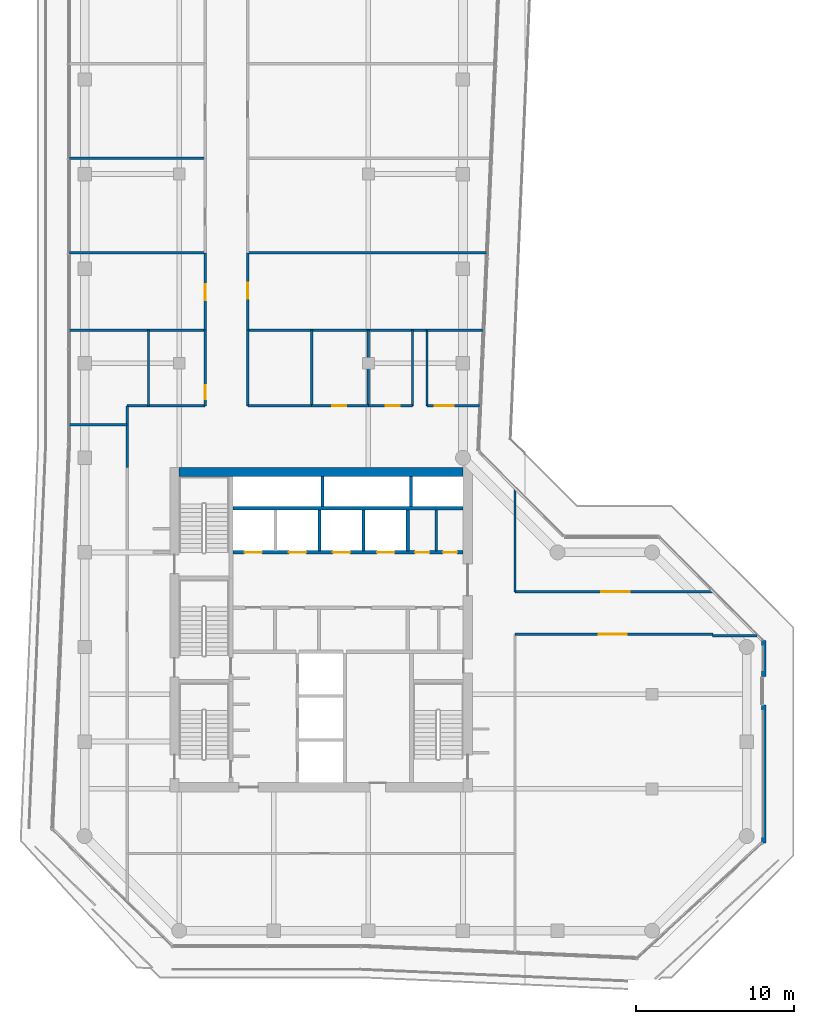
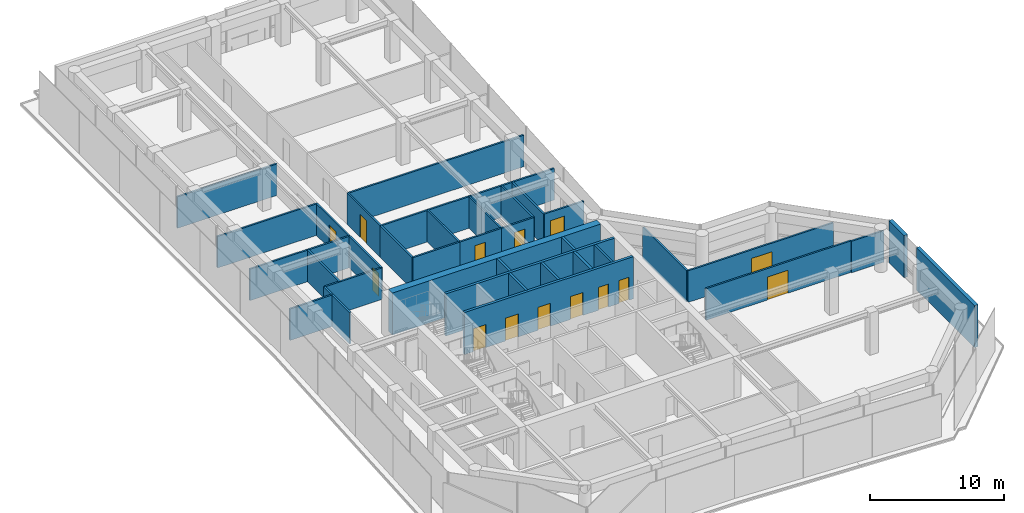
# One storey, part 18 of 21: 37 walls, 14 doors, 14 openings.
"""IFC4 building model written with IfcOpenShell, lengths in metres."""

from ifc_helpers import new_model, si_unit, direction, frame, frame_2d, origin, place, context, subcontext, project, spatial, rectangle, extrude, material, layer, layer_set, type_object, element, fill, save


model = new_model("IFC4")

# Units and contexts
model_context = context("Model", 3, precision=1e-05, world=origin(), true_north=direction((0.0, 1.0)))
body_context = subcontext(model_context, "Body", "Model", "MODEL_VIEW")
ifc_project = project(units=[si_unit("LENGTHUNIT", "METRE"), si_unit("AREAUNIT", "SQUARE_METRE"), si_unit("VOLUMEUNIT", "CUBIC_METRE"), si_unit("PLANEANGLEUNIT", "RADIAN"), si_unit("MASSUNIT", "GRAM", prefix="KILO")], contexts=[model_context])

# Site, building, storey
site_placement = place(None, origin())
site = spatial("IfcSite", under=ifc_project, at=site_placement, CompositionType="ELEMENT")
building_placement = place(site_placement, origin())
building = spatial("IfcBuilding", under=site, at=building_placement, Name="Welwitschia Terrace Campus", CompositionType="ELEMENT")
storey_placement = place(building_placement, frame((0.0, 0.0, 159.199951171875)))
storey = spatial("IfcBuildingStorey", under=building, at=storey_placement, Name="L35", CompositionType="ELEMENT", Elevation=159.199951171875)

# Wall
ifc_material_1 = material(Name="Concrete C32/40", Category="concrete")
ifc_layer_1 = layer(ifc_material_1, 0.175048828125)
ifc_layer_set_1 = layer_set([ifc_layer_1], Name="Concrete C32/40")
wall_type_1 = type_object("IfcWallType", Name="Core partition 175 Concrete C32/40", PredefinedType="PARTITIONING", material=ifc_layer_set_1)
wall_1_placement = place(storey_placement, frame((22.300048828125, 20.10009765625, 0.0), z_axis=(0.0, 0.0, 1.0), x_axis=(0.0, 1.0, 0.0)))
element("IfcWall", 1, at=wall_1_placement, inside=storey, type_object=wall_type_1, Name="Core partition", PredefinedType="PARTITIONING", context=body_context, shape_type="SweptSolid", body=[
    extrude(rectangle(XDim=2.599853515625, YDim=0.175048828125, at=frame_2d((1.2998046875, 0.0))), origin(), (0.0, 0.0, 1.0), 3.85009765625),
])

# Wall, openings, doors
ifc_material_2 = material(Name="Concrete C32/40", Category="concrete")
ifc_layer_2 = layer(ifc_material_2, 0.22509765625)
ifc_layer_set_2 = layer_set([ifc_layer_2], Name="Concrete C32/40")
wall_type_2 = type_object("IfcWallType", Name="Core partition 225 Concrete C32/40", PredefinedType="PARTITIONING", material=ifc_layer_set_2)
wall_2_placement = place(storey_placement, frame((24.0, 20.0, 0.0), z_axis=(0.0, 0.0, 1.0), x_axis=(-1.0, 0.0, 0.0)))
wall_2 = element("IfcWall", 2, at=wall_2_placement, inside=storey, type_object=wall_type_2, Name="Shaft wall", PredefinedType="PARTITIONING", context=body_context, shape_type="SweptSolid", body=[
    extrude(rectangle(XDim=14.60009765625, YDim=0.22509765625, at=frame_2d((7.300048828125, 0.0))), origin(), (0.0, 0.0, 1.0), 3.85009765625),
])
opening_1_placement = place(wall_2_placement, frame((12.75, 0.0, 0.0)))
opening_1 = element("IfcOpeningElement", 3, at=opening_1_placement, cuts=wall_2, Name="Opening LD", PredefinedType="OPENING", context=body_context, shape_type="SweptSolid", body=[
    extrude(rectangle(XDim=1.10009765625, YDim=2.10009765625, at=frame_2d((0.550048828125, 1.050048828125))), frame((0.0, 0.12255859375, 0.0), z_axis=(0.0, -1.0, 0.0), x_axis=(1.0, 0.0, 0.0)), (0.0, 0.0, 1.0), 0.2451171875),
])
opening_2_placement = place(wall_2_placement, frame((9.949951171875, 0.0, 0.0)))
opening_2 = element("IfcOpeningElement", 4, at=opening_2_placement, cuts=wall_2, Name="Opening LD", PredefinedType="OPENING", context=body_context, shape_type="SweptSolid", body=[
    extrude(rectangle(XDim=1.10009765625, YDim=2.10009765625, at=frame_2d((0.550048828125, 1.050048828125))), frame((0.0, 0.12255859375, 0.0), z_axis=(0.0, -1.0, 0.0), x_axis=(1.0, 0.0, 0.0)), (0.0, 0.0, 1.0), 0.2451171875),
])
opening_3_placement = place(wall_2_placement, frame((7.14990234375, 0.0, 0.0)))
opening_3 = element("IfcOpeningElement", 5, at=opening_3_placement, cuts=wall_2, Name="Opening LD", PredefinedType="OPENING", context=body_context, shape_type="SweptSolid", body=[
    extrude(rectangle(XDim=1.10009765625, YDim=2.10009765625, at=frame_2d((0.550048828125, 1.050048828125))), frame((0.0, 0.12255859375, 0.0), z_axis=(0.0, -1.0, 0.0), x_axis=(1.0, 0.0, 0.0)), (0.0, 0.0, 1.0), 0.2451171875),
])
opening_4_placement = place(wall_2_placement, frame((4.35009765625, 0.0, 0.0)))
opening_4 = element("IfcOpeningElement", 6, at=opening_4_placement, cuts=wall_2, Name="Opening LD", PredefinedType="OPENING", context=body_context, shape_type="SweptSolid", body=[
    extrude(rectangle(XDim=1.10009765625, YDim=2.10009765625, at=frame_2d((0.550048828125, 1.050048828125))), frame((0.0, 0.12255859375, 0.0), z_axis=(0.0, -1.0, 0.0), x_axis=(1.0, 0.0, 0.0)), (0.0, 0.0, 1.0), 0.2451171875),
])
opening_5_placement = place(wall_2_placement, frame((2.137451171875, 0.0, 0.0)))
opening_5 = element("IfcOpeningElement", 7, at=opening_5_placement, cuts=wall_2, Name="Opening DR09", PredefinedType="OPENING", context=body_context, shape_type="SweptSolid", body=[
    extrude(rectangle(XDim=0.89990234375, YDim=2.10009765625, at=frame_2d((0.449951171875, 1.050048828125))), frame((0.0, 0.12255859375, 0.0), z_axis=(0.0, -1.0, 0.0), x_axis=(1.0, 0.0, 0.0)), (0.0, 0.0, 1.0), 0.2451171875),
])
opening_6_placement = place(wall_2_placement, frame((0.362548828125, 0.0, 0.0)))
opening_6 = element("IfcOpeningElement", 8, at=opening_6_placement, cuts=wall_2, Name="Opening DR09", PredefinedType="OPENING", context=body_context, shape_type="SweptSolid", body=[
    extrude(rectangle(XDim=0.89990234375, YDim=2.10009765625, at=frame_2d((0.449951171875, 1.050048828125))), frame((0.0, 0.12255859375, 0.0), z_axis=(0.0, -1.0, 0.0), x_axis=(1.0, 0.0, 0.0)), (0.0, 0.0, 1.0), 0.2451171875),
])
ifc_material_3 = material(Name="Steel S275", Category="steel")
door_type_1 = type_object("IfcDoorType", Name="Core door DR09", OperationType="SINGLE_SWING_LEFT", PredefinedType="DOOR", material=ifc_material_3)
door_1_placement = place(opening_5_placement, origin())
door_1 = element("IfcDoor", 9, at=door_1_placement, inside=storey, type_object=door_type_1, Name="Door EH1-D", OperationType="SINGLE_SWING_LEFT", OverallHeight=2.10009765625, OverallWidth=0.89990234375, PredefinedType="DOOR", context=body_context, shape_type="SweptSolid", body=[
    extrude(rectangle(XDim=0.89990234375, YDim=2.10009765625, at=frame_2d((0.449951171875, 1.050048828125))), frame((0.0, 0.02490234375, 0.0), z_axis=(0.0, -1.0, 0.0), x_axis=(1.0, 0.0, 0.0)), (0.0, 0.0, 1.0), 0.050048828125),
])
fill(opening_5, door_1)
door_2_placement = place(opening_6_placement, origin())
door_2 = element("IfcDoor", 10, at=door_2_placement, inside=storey, type_object=door_type_1, Name="Door EH2-D", OperationType="SINGLE_SWING_LEFT", OverallHeight=2.10009765625, OverallWidth=0.89990234375, PredefinedType="DOOR", context=body_context, shape_type="SweptSolid", body=[
    extrude(rectangle(XDim=0.89990234375, YDim=2.10009765625, at=frame_2d((0.449951171875, 1.050048828125))), frame((0.0, 0.02490234375, 0.0), z_axis=(0.0, -1.0, 0.0), x_axis=(1.0, 0.0, 0.0)), (0.0, 0.0, 1.0), 0.050048828125),
])
fill(opening_6, door_2)
ifc_material_4 = material(Name="Stainless steel 304", Category="steel")
door_type_2 = type_object("IfcDoorType", Name="Lift landing door", OperationType="DOUBLE_DOOR_SLIDING", PredefinedType="DOOR", material=ifc_material_4)
door_3_placement = place(opening_1_placement, origin())
door_3 = element("IfcDoor", 11, at=door_3_placement, inside=storey, type_object=door_type_2, Name="Landing door HR1", OperationType="DOUBLE_DOOR_SLIDING", OverallHeight=2.10009765625, OverallWidth=1.10009765625, PredefinedType="DOOR", context=body_context, shape_type="SweptSolid", body=[
    extrude(rectangle(XDim=1.10009765625, YDim=2.10009765625, at=frame_2d((0.550048828125, 1.050048828125))), frame((0.0, 0.02490234375, 0.0), z_axis=(0.0, -1.0, 0.0), x_axis=(1.0, 0.0, 0.0)), (0.0, 0.0, 1.0), 0.050048828125),
])
fill(opening_1, door_3)
door_4_placement = place(opening_2_placement, origin())
door_4 = element("IfcDoor", 12, at=door_4_placement, inside=storey, type_object=door_type_2, Name="Landing door HR2", OperationType="DOUBLE_DOOR_SLIDING", OverallHeight=2.10009765625, OverallWidth=1.10009765625, PredefinedType="DOOR", context=body_context, shape_type="SweptSolid", body=[
    extrude(rectangle(XDim=1.10009765625, YDim=2.10009765625, at=frame_2d((0.550048828125, 1.050048828125))), frame((0.0, 0.02490234375, 0.0), z_axis=(0.0, -1.0, 0.0), x_axis=(1.0, 0.0, 0.0)), (0.0, 0.0, 1.0), 0.050048828125),
])
fill(opening_2, door_4)
door_5_placement = place(opening_3_placement, origin())
door_5 = element("IfcDoor", 13, at=door_5_placement, inside=storey, type_object=door_type_2, Name="Landing door HR3", OperationType="DOUBLE_DOOR_SLIDING", OverallHeight=2.10009765625, OverallWidth=1.10009765625, PredefinedType="DOOR", context=body_context, shape_type="SweptSolid", body=[
    extrude(rectangle(XDim=1.10009765625, YDim=2.10009765625, at=frame_2d((0.550048828125, 1.050048828125))), frame((0.0, 0.02490234375, 0.0), z_axis=(0.0, -1.0, 0.0), x_axis=(1.0, 0.0, 0.0)), (0.0, 0.0, 1.0), 0.050048828125),
])
fill(opening_3, door_5)
door_6_placement = place(opening_4_placement, origin())
door_6 = element("IfcDoor", 14, at=door_6_placement, inside=storey, type_object=door_type_2, Name="Landing door HR4", OperationType="DOUBLE_DOOR_SLIDING", OverallHeight=2.10009765625, OverallWidth=1.10009765625, PredefinedType="DOOR", context=body_context, shape_type="SweptSolid", body=[
    extrude(rectangle(XDim=1.10009765625, YDim=2.10009765625, at=frame_2d((0.550048828125, 1.050048828125))), frame((0.0, 0.02490234375, 0.0), z_axis=(0.0, -1.0, 0.0), x_axis=(1.0, 0.0, 0.0)), (0.0, 0.0, 1.0), 0.050048828125),
])
fill(opening_4, door_6)

# Walls
wall_3_placement = place(storey_placement, frame((9.39990234375, 22.800048828125, 0.0), z_axis=(0.0, 0.0, 1.0), x_axis=(1.0, 0.0, 0.0)))
element("IfcWall", 15, at=wall_3_placement, inside=storey, type_object=wall_type_2, Name="Shaft wall", PredefinedType="PARTITIONING", context=body_context, shape_type="SweptSolid", body=[
    extrude(rectangle(XDim=14.60009765625, YDim=0.22509765625, at=frame_2d((7.300048828125, 0.0))), origin(), (0.0, 0.0, 1.0), 3.85009765625),
])
wall_4_placement = place(storey_placement, frame((20.5, 20.10009765625, 0.0), z_axis=(0.0, 0.0, 1.0), x_axis=(0.0, 1.0, 0.0)))
element("IfcWall", 16, at=wall_4_placement, inside=storey, type_object=wall_type_2, Name="Shaft wall", PredefinedType="PARTITIONING", context=body_context, shape_type="SweptSolid", body=[
    extrude(rectangle(XDim=2.599853515625, YDim=0.22509765625, at=frame_2d((1.2998046875, 0.0))), origin(), (0.0, 0.0, 1.0), 3.85009765625),
])
ifc_material_5 = material(Name="Concrete C50/60", Category="concrete")
ifc_layer_3 = layer(ifc_material_5, 0.199951171875)
ifc_layer_set_3 = layer_set([ifc_layer_3], Name="Concrete C50/60")
wall_type_3 = type_object("IfcWallType", Name="Core wall 200 Concrete C50/60", PredefinedType="SHEAR", material=ifc_layer_set_3)
for number, where, z_axis, x_axis, name in (
    (17, (15.10009765625, 22.89990234375, 0.0), (0.0, 0.0, 1.0), (0.0, 1.0, 0.0), "Core wall"),
    (18, (20.699951171875, 22.89990234375, 0.0), (0.0, 0.0, 1.0), (0.0, 1.0, 0.0), "Core wall"),
):
    element("IfcWall", number, at=place(storey_placement, frame(where, z_axis=z_axis, x_axis=x_axis)), inside=storey, type_object=wall_type_3, Name=name, PredefinedType="SHEAR", context=body_context, shape_type="SweptSolid", body=[
        extrude(rectangle(XDim=1.900146484375, YDim=0.199951171875, at=frame_2d((0.9501953125, 0.0))), origin(), (0.0, 0.0, 1.0), 3.85009765625),
    ])
ifc_material_6 = material(Name="Concrete C60/75", Category="concrete")
ifc_layer_4 = layer(ifc_material_6, 0.60009765625)
ifc_layer_set_4 = layer_set([ifc_layer_4], Name="Concrete C60/75")
wall_type_4 = type_object("IfcWallType", Name="Core wall 600 Concrete C60/75", PredefinedType="SHEAR", material=ifc_layer_set_4)
wall_5_placement = place(storey_placement, frame((6.0, 25.10009765625, 0.0), z_axis=(0.0, 0.0, 1.0), x_axis=(1.0, 0.0, 0.0)))
element("IfcWall", 19, at=wall_5_placement, inside=storey, type_object=wall_type_4, Name="Core outer wall", PredefinedType="SHEAR", context=body_context, shape_type="SweptSolid", body=[
    extrude(rectangle(XDim=18.0, YDim=0.60009765625, at=frame_2d((9.0, 0.0))), origin(), (0.0, 0.0, 1.0), 3.85009765625),
])
ifc_material_7 = material(Name="Gypsum board on steel studs", Category="steel")
ifc_layer_5 = layer(ifc_material_7, 0.14990234375)
ifc_layer_set_5 = layer_set([ifc_layer_5], Name="Gypsum board on steel studs")
wall_type_5 = type_object("IfcWallType", Name="Corridor partition 150 EI 30", PredefinedType="PARTITIONING", material=ifc_layer_set_5)
wall_6_placement = place(storey_placement, frame((-0.97998046875, 28.10009765625, 0.0), z_axis=(0.0, 0.0, 1.0), x_axis=(1.0, 0.0, 0.0)))
element("IfcWall", 20, at=wall_6_placement, inside=storey, type_object=wall_type_5, Name="Partition", PredefinedType="PARTITIONING", context=body_context, shape_type="SweptSolid", body=[
    extrude(rectangle(XDim=3.679931640625, YDim=0.14990234375, at=frame_2d((1.83984375, 0.0))), origin(), (0.0, 0.0, 1.0), 2.880126953125),
])
wall_7_placement = place(storey_placement, frame((-0.97998046875, 34.10009765625, 0.0), z_axis=(0.0, 0.0, 1.0), x_axis=(1.0, 0.0, 0.0)))
element("IfcWall", 21, at=wall_7_placement, inside=storey, type_object=wall_type_5, Name="Partition", PredefinedType="PARTITIONING", context=body_context, shape_type="SweptSolid", body=[
    extrude(rectangle(XDim=8.6298828125, YDim=0.14990234375, at=frame_2d((4.31494140625, 0.0))), origin(), (0.0, 0.0, 1.0), 2.880126953125),
])
for number, where, z_axis, x_axis, name in (
    (22, (-0.965087890625, 39.0, 0.0), (0.0, 0.0, 1.0), (1.0, 0.0, 0.0), "Partition"),
    (23, (-0.965087890625, 45.0, 0.0), (0.0, 0.0, 1.0), (1.0, 0.0, 0.0), "Partition"),
):
    element("IfcWall", number, at=place(storey_placement, frame(where, z_axis=z_axis, x_axis=x_axis)), inside=storey, type_object=wall_type_5, Name=name, PredefinedType="PARTITIONING", context=body_context, shape_type="SweptSolid", body=[
        extrude(rectangle(XDim=8.614990234375, YDim=0.14990234375, at=frame_2d((4.3076171875, 0.0))), origin(), (0.0, 0.0, 1.0), 2.880126953125),
    ])
wall_8_placement = place(storey_placement, frame((2.699951171875, 25.39990234375, 0.0), z_axis=(0.0, 0.0, 1.0), x_axis=(0.0, 1.0, 0.0)))
element("IfcWall", 24, at=wall_8_placement, inside=storey, type_object=wall_type_5, Name="Partition", PredefinedType="PARTITIONING", context=body_context, shape_type="SweptSolid", body=[
    extrude(rectangle(XDim=3.900146484375, YDim=0.14990234375, at=frame_2d((1.9501953125, 0.0))), origin(), (0.0, 0.0, 1.0), 2.880126953125),
])
wall_9_placement = place(storey_placement, frame((2.699951171875, 29.300048828125, 0.0), z_axis=(0.0, 0.0, 1.0), x_axis=(1.0, 0.0, 0.0)))
element("IfcWall", 25, at=wall_9_placement, inside=storey, type_object=wall_type_5, Name="Partition", PredefinedType="PARTITIONING", context=body_context, shape_type="SweptSolid", body=[
    extrude(rectangle(XDim=4.949951171875, YDim=0.14990234375, at=frame_2d((2.47509765625, 0.0))), origin(), (0.0, 0.0, 1.0), 2.880126953125),
])
wall_10_placement = place(storey_placement, frame((4.050048828125, 29.300048828125, 0.0), z_axis=(0.0, 0.0, 1.0), x_axis=(0.0, 1.0, 0.0)))
element("IfcWall", 26, at=wall_10_placement, inside=storey, type_object=wall_type_5, Name="Partition", PredefinedType="PARTITIONING", context=body_context, shape_type="SweptSolid", body=[
    extrude(rectangle(XDim=4.800048828125, YDim=0.14990234375, at=frame_2d((2.39990234375, 0.0))), origin(), (0.0, 0.0, 1.0), 2.880126953125),
])

# Wall, opening, door
wall_11_placement = place(storey_placement, frame((7.64990234375, 29.300048828125, 0.0), z_axis=(0.0, 0.0, 1.0), x_axis=(0.0, 1.0, 0.0)))
wall_11 = element("IfcWall", 27, at=wall_11_placement, inside=storey, type_object=wall_type_5, Name="Partition", PredefinedType="PARTITIONING", context=body_context, shape_type="SweptSolid", body=[
    extrude(rectangle(XDim=4.800048828125, YDim=0.14990234375, at=frame_2d((2.39990234375, 0.0))), origin(), (0.0, 0.0, 1.0), 2.880126953125),
])
opening_7_placement = place(wall_11_placement, frame((0.39990234375, 0.0, 0.0)))
opening_7 = element("IfcOpeningElement", 28, at=opening_7_placement, cuts=wall_11, Name="Opening DI09", PredefinedType="OPENING", context=body_context, shape_type="SweptSolid", body=[
    extrude(rectangle(XDim=0.89990234375, YDim=2.10009765625, at=frame_2d((0.449951171875, 1.050048828125))), frame((0.0, 0.0849609375, 0.0), z_axis=(0.0, -1.0, 0.0), x_axis=(1.0, 0.0, 0.0)), (0.0, 0.0, 1.0), 0.169921875),
])
ifc_material_8 = material(Name="Timber veneered door", Category="wood")
door_type_3 = type_object("IfcDoorType", Name="Interior door DI09", OperationType="NOTDEFINED", PredefinedType="DOOR", material=ifc_material_8)
door_7_placement = place(opening_7_placement, origin())
door_7 = element("IfcDoor", 29, at=door_7_placement, inside=storey, type_object=door_type_3, Name="Door L35 711", OperationType="SINGLE_SWING_RIGHT", OverallHeight=2.10009765625, OverallWidth=0.89990234375, PredefinedType="DOOR", context=body_context, shape_type="SweptSolid", body=[
    extrude(rectangle(XDim=0.89990234375, YDim=2.10009765625, at=frame_2d((0.449951171875, 1.050048828125))), frame((0.0, 0.02490234375, 0.0), z_axis=(0.0, -1.0, 0.0), x_axis=(1.0, 0.0, 0.0)), (0.0, 0.0, 1.0), 0.050048828125),
])
fill(opening_7, door_7)

wall_12_placement = place(storey_placement, frame((7.64990234375, 34.10009765625, 0.0), z_axis=(0.0, 0.0, 1.0), x_axis=(0.0, 1.0, 0.0)))
wall_12 = element("IfcWall", 30, at=wall_12_placement, inside=storey, type_object=wall_type_5, Name="Partition", PredefinedType="PARTITIONING", context=body_context, shape_type="SweptSolid", body=[
    extrude(rectangle(XDim=4.89990234375, YDim=0.14990234375, at=frame_2d((2.449951171875, 0.0))), origin(), (0.0, 0.0, 1.0), 2.880126953125),
])
opening_8_placement = place(wall_12_placement, frame((1.89990234375, 0.0, 0.0)))
opening_8 = element("IfcOpeningElement", 31, at=opening_8_placement, cuts=wall_12, Name="Opening DI10", PredefinedType="OPENING", context=body_context, shape_type="SweptSolid", body=[
    extrude(rectangle(XDim=1.0, YDim=2.10009765625, at=frame_2d((0.5, 1.050048828125))), frame((0.0, 0.0849609375, 0.0), z_axis=(0.0, -1.0, 0.0), x_axis=(1.0, 0.0, 0.0)), (0.0, 0.0, 1.0), 0.169921875),
])
ifc_material_9 = material(Name="Timber veneered door", Category="wood")
door_type_4 = type_object("IfcDoorType", Name="Interior door DI10", OperationType="NOTDEFINED", PredefinedType="DOOR", material=ifc_material_9)
door_8_placement = place(opening_8_placement, origin())
door_8 = element("IfcDoor", 32, at=door_8_placement, inside=storey, type_object=door_type_4, Name="Door L35 712", OperationType="SINGLE_SWING_LEFT", OverallHeight=2.10009765625, OverallWidth=1.0, PredefinedType="DOOR", context=body_context, shape_type="SweptSolid", body=[
    extrude(rectangle(XDim=1.0, YDim=2.10009765625, at=frame_2d((0.5, 1.050048828125))), frame((0.0, 0.02490234375, 0.0), z_axis=(0.0, -1.0, 0.0), x_axis=(1.0, 0.0, 0.0)), (0.0, 0.0, 1.0), 0.050048828125),
])
fill(opening_8, door_8)

# Walls
wall_13_placement = place(storey_placement, frame((10.35009765625, 29.300048828125, 0.0), z_axis=(0.0, 0.0, 1.0), x_axis=(0.0, 1.0, 0.0)))
element("IfcWall", 33, at=wall_13_placement, inside=storey, type_object=wall_type_5, Name="Partition", PredefinedType="PARTITIONING", context=body_context, shape_type="SweptSolid", body=[
    extrude(rectangle(XDim=4.800048828125, YDim=0.14990234375, at=frame_2d((2.39990234375, 0.0))), origin(), (0.0, 0.0, 1.0), 2.880126953125),
])
wall_14_placement = place(storey_placement, frame((10.35009765625, 29.300048828125, 0.0), z_axis=(0.0, 0.0, 1.0), x_axis=(1.0, 0.0, 0.0)))
element("IfcWall", 34, at=wall_14_placement, inside=storey, type_object=wall_type_5, Name="Partition", PredefinedType="PARTITIONING", context=body_context, shape_type="SweptSolid", body=[
    extrude(rectangle(XDim=4.0498046875, YDim=0.14990234375, at=frame_2d((2.02490234375, 0.0))), origin(), (0.0, 0.0, 1.0), 2.880126953125),
])
wall_15_placement = place(storey_placement, frame((10.35009765625, 34.10009765625, 0.0), z_axis=(0.0, 0.0, 1.0), x_axis=(1.0, 0.0, 0.0)))
element("IfcWall", 35, at=wall_15_placement, inside=storey, type_object=wall_type_5, Name="Partition", PredefinedType="PARTITIONING", context=body_context, shape_type="SweptSolid", body=[
    extrude(rectangle(XDim=11.369873046875, YDim=0.14990234375, at=frame_2d((5.68505859375, 0.0))), origin(), (0.0, 0.0, 1.0), 2.880126953125),
])

# Wall, opening, door
wall_16_placement = place(storey_placement, frame((10.35009765625, 39.0, 0.0), z_axis=(0.0, 0.0, 1.0), x_axis=(0.0, -1.0, 0.0)))
wall_16 = element("IfcWall", 36, at=wall_16_placement, inside=storey, type_object=wall_type_5, Name="Partition", PredefinedType="PARTITIONING", context=body_context, shape_type="SweptSolid", body=[
    extrude(rectangle(XDim=4.89990234375, YDim=0.14990234375, at=frame_2d((2.449951171875, 0.0))), origin(), (0.0, 0.0, 1.0), 2.880126953125),
])
opening_9_placement = place(wall_16_placement, frame((1.89990234375, 0.0, 0.0)))
opening_9 = element("IfcOpeningElement", 37, at=opening_9_placement, cuts=wall_16, Name="Opening DI10", PredefinedType="OPENING", context=body_context, shape_type="SweptSolid", body=[
    extrude(rectangle(XDim=1.0, YDim=2.10009765625, at=frame_2d((0.5, 1.050048828125))), frame((0.0, 0.0849609375, 0.0), z_axis=(0.0, -1.0, 0.0), x_axis=(1.0, 0.0, 0.0)), (0.0, 0.0, 1.0), 0.169921875),
])
door_9_placement = place(opening_9_placement, origin())
door_9 = element("IfcDoor", 38, at=door_9_placement, inside=storey, type_object=door_type_4, Name="Door L35 716", OperationType="SINGLE_SWING_LEFT", OverallHeight=2.10009765625, OverallWidth=1.0, PredefinedType="DOOR", context=body_context, shape_type="SweptSolid", body=[
    extrude(rectangle(XDim=1.0, YDim=2.10009765625, at=frame_2d((0.5, 1.050048828125))), frame((0.0, 0.02490234375, 0.0), z_axis=(0.0, -1.0, 0.0), x_axis=(1.0, 0.0, 0.0)), (0.0, 0.0, 1.0), 0.050048828125),
])
fill(opening_9, door_9)

# Walls
wall_17_placement = place(storey_placement, frame((10.35009765625, 39.0, 0.0), z_axis=(0.0, 0.0, 1.0), x_axis=(1.0, 0.0, 0.0)))
element("IfcWall", 39, at=wall_17_placement, inside=storey, type_object=wall_type_5, Name="Partition", PredefinedType="PARTITIONING", context=body_context, shape_type="SweptSolid", body=[
    extrude(rectangle(XDim=15.179931640625, YDim=0.14990234375, at=frame_2d((7.58984375, 0.0))), origin(), (0.0, 0.0, 1.0), 2.880126953125),
])
wall_18_placement = place(storey_placement, frame((14.39990234375, 29.300048828125, 0.0), z_axis=(0.0, 0.0, 1.0), x_axis=(0.0, 1.0, 0.0)))
element("IfcWall", 40, at=wall_18_placement, inside=storey, type_object=wall_type_5, Name="Partition", PredefinedType="PARTITIONING", context=body_context, shape_type="SweptSolid", body=[
    extrude(rectangle(XDim=4.800048828125, YDim=0.14990234375, at=frame_2d((2.39990234375, 0.0))), origin(), (0.0, 0.0, 1.0), 2.880126953125),
])

# Wall, opening, door
wall_19_placement = place(storey_placement, frame((14.39990234375, 29.300048828125, 0.0), z_axis=(0.0, 0.0, 1.0), x_axis=(1.0, 0.0, 0.0)))
wall_19 = element("IfcWall", 41, at=wall_19_placement, inside=storey, type_object=wall_type_5, Name="Partition", PredefinedType="PARTITIONING", context=body_context, shape_type="SweptSolid", body=[
    extrude(rectangle(XDim=3.60009765625, YDim=0.14990234375, at=frame_2d((1.800048828125, 0.0))), origin(), (0.0, 0.0, 1.0), 2.880126953125),
])
opening_10_placement = place(wall_19_placement, frame((1.300048828125, 0.0, 0.0)))
opening_10 = element("IfcOpeningElement", 42, at=opening_10_placement, cuts=wall_19, Name="Opening DI09", PredefinedType="OPENING", context=body_context, shape_type="SweptSolid", body=[
    extrude(rectangle(XDim=0.89990234375, YDim=2.10009765625, at=frame_2d((0.449951171875, 1.050048828125))), frame((0.0, 0.0849609375, 0.0), z_axis=(0.0, -1.0, 0.0), x_axis=(1.0, 0.0, 0.0)), (0.0, 0.0, 1.0), 0.169921875),
])
door_10_placement = place(opening_10_placement, origin())
door_10 = element("IfcDoor", 43, at=door_10_placement, inside=storey, type_object=door_type_3, Name="Door L35 720", OperationType="SINGLE_SWING_LEFT", OverallHeight=2.10009765625, OverallWidth=0.89990234375, PredefinedType="DOOR", context=body_context, shape_type="SweptSolid", body=[
    extrude(rectangle(XDim=0.89990234375, YDim=2.10009765625, at=frame_2d((0.449951171875, 1.050048828125))), frame((0.0, 0.02490234375, 0.0), z_axis=(0.0, -1.0, 0.0), x_axis=(1.0, 0.0, 0.0)), (0.0, 0.0, 1.0), 0.050048828125),
])
fill(opening_10, door_10)

# Wall
wall_20_placement = place(storey_placement, frame((18.0, 29.300048828125, 0.0), z_axis=(0.0, 0.0, 1.0), x_axis=(0.0, 1.0, 0.0)))
element("IfcWall", 44, at=wall_20_placement, inside=storey, type_object=wall_type_5, Name="Partition", PredefinedType="PARTITIONING", context=body_context, shape_type="SweptSolid", body=[
    extrude(rectangle(XDim=4.800048828125, YDim=0.14990234375, at=frame_2d((2.39990234375, 0.0))), origin(), (0.0, 0.0, 1.0), 2.880126953125),
])

# Wall, opening, door
wall_21_placement = place(storey_placement, frame((18.0, 29.300048828125, 0.0), z_axis=(0.0, 0.0, 1.0), x_axis=(1.0, 0.0, 0.0)))
wall_21 = element("IfcWall", 45, at=wall_21_placement, inside=storey, type_object=wall_type_5, Name="Partition", PredefinedType="PARTITIONING", context=body_context, shape_type="SweptSolid", body=[
    extrude(rectangle(XDim=2.800048828125, YDim=0.14990234375, at=frame_2d((1.39990234375, 0.0))), origin(), (0.0, 0.0, 1.0), 2.880126953125),
])
opening_11_placement = place(wall_21_placement, frame((1.10009765625, 0.0, 0.0)))
opening_11 = element("IfcOpeningElement", 46, at=opening_11_placement, cuts=wall_21, Name="Opening DI09", PredefinedType="OPENING", context=body_context, shape_type="SweptSolid", body=[
    extrude(rectangle(XDim=0.89990234375, YDim=2.10009765625, at=frame_2d((0.449951171875, 1.050048828125))), frame((0.0, 0.0849609375, 0.0), z_axis=(0.0, -1.0, 0.0), x_axis=(1.0, 0.0, 0.0)), (0.0, 0.0, 1.0), 0.169921875),
])
door_11_placement = place(opening_11_placement, origin())
door_11 = element("IfcDoor", 47, at=door_11_placement, inside=storey, type_object=door_type_3, Name="Door L35 721", OperationType="SINGLE_SWING_RIGHT", OverallHeight=2.10009765625, OverallWidth=0.89990234375, PredefinedType="DOOR", context=body_context, shape_type="SweptSolid", body=[
    extrude(rectangle(XDim=0.89990234375, YDim=2.10009765625, at=frame_2d((0.449951171875, 1.050048828125))), frame((0.0, 0.02490234375, 0.0), z_axis=(0.0, -1.0, 0.0), x_axis=(1.0, 0.0, 0.0)), (0.0, 0.0, 1.0), 0.050048828125),
])
fill(opening_11, door_11)

# Walls
for number, where, z_axis, x_axis, name in (
    (48, (20.800048828125, 29.300048828125, 0.0), (0.0, 0.0, 1.0), (0.0, 1.0, 0.0), "Partition"),
    (49, (21.719970703125, 29.300048828125, 0.0), (0.0, 0.0, 1.0), (0.0, 1.0, 0.0), "Partition"),
):
    element("IfcWall", number, at=place(storey_placement, frame(where, z_axis=z_axis, x_axis=x_axis)), inside=storey, type_object=wall_type_5, Name=name, PredefinedType="PARTITIONING", context=body_context, shape_type="SweptSolid", body=[
        extrude(rectangle(XDim=4.800048828125, YDim=0.14990234375, at=frame_2d((2.39990234375, 0.0))), origin(), (0.0, 0.0, 1.0), 2.880126953125),
    ])

# Wall, opening, door
wall_22_placement = place(storey_placement, frame((21.719970703125, 29.300048828125, 0.0), z_axis=(0.0, 0.0, 1.0), x_axis=(1.0, 0.0, 0.0)))
wall_22 = element("IfcWall", 50, at=wall_22_placement, inside=storey, type_object=wall_type_5, Name="Partition", PredefinedType="PARTITIONING", context=body_context, shape_type="SweptSolid", body=[
    extrude(rectangle(XDim=3.39013671875, YDim=0.14990234375, at=frame_2d((1.695068359375, 0.0))), origin(), (0.0, 0.0, 1.0), 2.880126953125),
])
opening_12_placement = place(wall_22_placement, frame((0.489990234375, 0.0, 0.0)))
opening_12 = element("IfcOpeningElement", 51, at=opening_12_placement, cuts=wall_22, Name="Opening DX12", PredefinedType="OPENING", context=body_context, shape_type="SweptSolid", body=[
    extrude(rectangle(XDim=1.199951171875, YDim=2.10009765625, at=frame_2d((0.60009765625, 1.050048828125))), frame((0.0, 0.0849609375, 0.0), z_axis=(0.0, -1.0, 0.0), x_axis=(1.0, 0.0, 0.0)), (0.0, 0.0, 1.0), 0.169921875),
])
ifc_material_10 = material(Name="Timber veneered door", Category="wood")
door_type_5 = type_object("IfcDoorType", Name="Interior door DX12", OperationType="NOTDEFINED", PredefinedType="DOOR", material=ifc_material_10)
door_12_placement = place(opening_12_placement, origin())
door_12 = element("IfcDoor", 52, at=door_12_placement, inside=storey, type_object=door_type_5, Name="Door L35 722", OperationType="SINGLE_SWING_LEFT", OverallHeight=2.10009765625, OverallWidth=1.199951171875, PredefinedType="DOOR", context=body_context, shape_type="SweptSolid", body=[
    extrude(rectangle(XDim=1.199951171875, YDim=2.10009765625, at=frame_2d((0.60009765625, 1.050048828125))), frame((0.0, 0.02490234375, 0.0), z_axis=(0.0, -1.0, 0.0), x_axis=(1.0, 0.0, 0.0)), (0.0, 0.0, 1.0), 0.050048828125),
])
fill(opening_12, door_12)

# Wall
wall_23_placement = place(storey_placement, frame((21.719970703125, 34.10009765625, 0.0), z_axis=(0.0, 0.0, 1.0), x_axis=(1.0, 0.0, 0.0)))
element("IfcWall", 53, at=wall_23_placement, inside=storey, type_object=wall_type_5, Name="Partition", PredefinedType="PARTITIONING", context=body_context, shape_type="SweptSolid", body=[
    extrude(rectangle(XDim=3.60009765625, YDim=0.14990234375, at=frame_2d((1.800048828125, 0.0))), origin(), (0.0, 0.0, 1.0), 2.880126953125),
])

# Wall, opening, door
wall_24_placement = place(storey_placement, frame((27.300048828125, 14.800048828125, 0.0), z_axis=(0.0, 0.0, 1.0), x_axis=(1.0, 0.0, 0.0)))
wall_24 = element("IfcWall", 54, at=wall_24_placement, inside=storey, type_object=wall_type_5, Name="Partition", PredefinedType="PARTITIONING", context=body_context, shape_type="SweptSolid", body=[
    extrude(rectangle(XDim=12.570068359375, YDim=0.14990234375, at=frame_2d((6.28515625, 0.0))), origin(), (0.0, 0.0, 1.0), 2.880126953125),
])
opening_13_placement = place(wall_24_placement, frame((5.300048828125, 0.0, 0.0)))
opening_13 = element("IfcOpeningElement", 55, at=opening_13_placement, cuts=wall_24, Name="Opening DI18", PredefinedType="OPENING", context=body_context, shape_type="SweptSolid", body=[
    extrude(rectangle(XDim=1.800048828125, YDim=2.10009765625, at=frame_2d((0.89990234375, 1.050048828125))), frame((0.0, 0.0849609375, 0.0), z_axis=(0.0, -1.0, 0.0), x_axis=(1.0, 0.0, 0.0)), (0.0, 0.0, 1.0), 0.169921875),
])
ifc_material_11 = material(Name="Timber veneered door", Category="wood")
door_type_6 = type_object("IfcDoorType", Name="Interior door DI18", OperationType="DOUBLE_DOOR_SINGLE_SWING", PredefinedType="DOOR", material=ifc_material_11)
door_13_placement = place(opening_13_placement, origin())
door_13 = element("IfcDoor", 56, at=door_13_placement, inside=storey, type_object=door_type_6, Name="Door L35 724", OperationType="SINGLE_SWING_LEFT", OverallHeight=2.10009765625, OverallWidth=1.800048828125, PredefinedType="DOOR", context=body_context, shape_type="SweptSolid", body=[
    extrude(rectangle(XDim=1.800048828125, YDim=2.10009765625, at=frame_2d((0.89990234375, 1.050048828125))), frame((0.0, 0.02490234375, 0.0), z_axis=(0.0, -1.0, 0.0), x_axis=(1.0, 0.0, 0.0)), (0.0, 0.0, 1.0), 0.050048828125),
])
fill(opening_13, door_13)

# Walls
wall_25_placement = place(storey_placement, frame((27.300048828125, 17.5, 0.0), z_axis=(0.0, 0.0, 1.0), x_axis=(0.0, 1.0, 0.0)))
element("IfcWall", 57, at=wall_25_placement, inside=storey, type_object=wall_type_5, Name="Partition", PredefinedType="PARTITIONING", context=body_context, shape_type="SweptSolid", body=[
    extrude(rectangle(XDim=6.580078125, YDim=0.14990234375, at=frame_2d((3.2900390625, 0.0))), origin(), (0.0, 0.0, 1.0), 2.880126953125),
])
wall_26_placement = place(storey_placement, frame((39.840087890625, 14.719970703125, 0.0), z_axis=(0.0, 0.0, 1.0), x_axis=(1.0, 0.0, 0.0)))
element("IfcWall", 58, at=wall_26_placement, inside=storey, type_object=wall_type_5, Name="Partition", PredefinedType="PARTITIONING", context=body_context, shape_type="SweptSolid", body=[
    extrude(rectangle(XDim=2.811767578125, YDim=0.14990234375, at=frame_2d((1.40576171875, 0.0))), origin(), (0.0, 0.0, 1.0), 2.880126953125),
])

# Wall, opening, door
wall_27_placement = place(storey_placement, frame((39.8798828125, 17.5, 0.0), z_axis=(0.0, 0.0, 1.0), x_axis=(-1.0, 0.0, 0.0)))
wall_27 = element("IfcWall", 59, at=wall_27_placement, inside=storey, type_object=wall_type_5, Name="Partition", PredefinedType="PARTITIONING", context=body_context, shape_type="SweptSolid", body=[
    extrude(rectangle(XDim=12.579833984375, YDim=0.14990234375, at=frame_2d((6.2900390625, 0.0))), origin(), (0.0, 0.0, 1.0), 2.880126953125),
])
opening_14_placement = place(wall_27_placement, frame((5.300048828125, 0.0, 0.0)))
opening_14 = element("IfcOpeningElement", 60, at=opening_14_placement, cuts=wall_27, Name="Opening DI18", PredefinedType="OPENING", context=body_context, shape_type="SweptSolid", body=[
    extrude(rectangle(XDim=1.800048828125, YDim=2.10009765625, at=frame_2d((0.89990234375, 1.050048828125))), frame((0.0, 0.0849609375, 0.0), z_axis=(0.0, -1.0, 0.0), x_axis=(1.0, 0.0, 0.0)), (0.0, 0.0, 1.0), 0.169921875),
])
door_14_placement = place(opening_14_placement, origin())
door_14 = element("IfcDoor", 61, at=door_14_placement, inside=storey, type_object=door_type_6, Name="Door L35 725", OperationType="SINGLE_SWING_LEFT", OverallHeight=2.10009765625, OverallWidth=1.800048828125, PredefinedType="DOOR", context=body_context, shape_type="SweptSolid", body=[
    extrude(rectangle(XDim=1.800048828125, YDim=2.10009765625, at=frame_2d((0.89990234375, 1.050048828125))), frame((0.0, 0.02490234375, 0.0), z_axis=(0.0, -1.0, 0.0), x_axis=(1.0, 0.0, 0.0)), (0.0, 0.0, 1.0), 0.050048828125),
])
fill(opening_14, door_14)

# Walls
ifc_material_12 = material(Name="Concrete C40/50", Category="concrete")
ifc_layer_6 = layer(ifc_material_12, 0.300048828125)
ifc_layer_set_6 = layer_set([ifc_layer_6], Name="Concrete C40/50")
wall_type_6 = type_object("IfcWallType", Name="Mass wall 300", PredefinedType="SOLIDWALL", material=ifc_layer_set_6)
wall_28_placement = place(storey_placement, frame((43.07958984375, 1.573486328125, 0.0), z_axis=(0.0, 0.0, 1.0), x_axis=(0.0, 1.0, 0.0)))
element("IfcWall", 62, at=wall_28_placement, inside=storey, type_object=wall_type_6, Name="Mass wall L35.5.0", PredefinedType="SOLIDWALL", context=body_context, shape_type="SweptSolid", body=[
    extrude(rectangle(XDim=8.73974609375, YDim=0.300048828125, at=frame_2d((4.369873046875, 0.0))), origin(), (0.0, 0.0, 1.0), 3.85009765625),
])
wall_29_placement = place(storey_placement, frame((43.07958984375, 12.11328125, 0.0), z_axis=(0.0, 0.0, 1.0), x_axis=(0.0, 1.0, 0.0)))
element("IfcWall", 63, at=wall_29_placement, inside=storey, type_object=wall_type_6, Name="Mass wall L35.5.1", PredefinedType="SOLIDWALL", context=body_context, shape_type="SweptSolid", body=[
    extrude(rectangle(XDim=2.313232421875, YDim=0.300048828125, at=frame_2d((1.15673828125, 0.0))), origin(), (0.0, 0.0, 1.0), 3.85009765625),
])
ifc_material_13 = material(Name="Concrete C32/40", Category="concrete")
ifc_layer_7 = layer(ifc_material_13, 0.199951171875)
ifc_layer_set_7 = layer_set([ifc_layer_7], Name="Concrete C32/40")
wall_type_7 = type_object("IfcWallType", Name="Shaft wall 200 Concrete C32/40", PredefinedType="SOLIDWALL", material=ifc_layer_set_7)
for number, where, z_axis, x_axis, name in (
    (64, (14.89990234375, 20.10009765625, 0.0), (0.0, 0.0, 1.0), (0.0, 1.0, 0.0), "Shaft wall"),
    (65, (17.699951171875, 20.10009765625, 0.0), (0.0, 0.0, 1.0), (0.0, 1.0, 0.0), "Shaft wall"),
):
    element("IfcWall", number, at=place(storey_placement, frame(where, z_axis=z_axis, x_axis=x_axis)), inside=storey, type_object=wall_type_7, Name=name, PredefinedType="SOLIDWALL", context=body_context, shape_type="SweptSolid", body=[
        extrude(rectangle(XDim=2.599853515625, YDim=0.199951171875, at=frame_2d((1.2998046875, 0.0))), origin(), (0.0, 0.0, 1.0), 3.85009765625),
    ])

save(model, "model.ifc")
